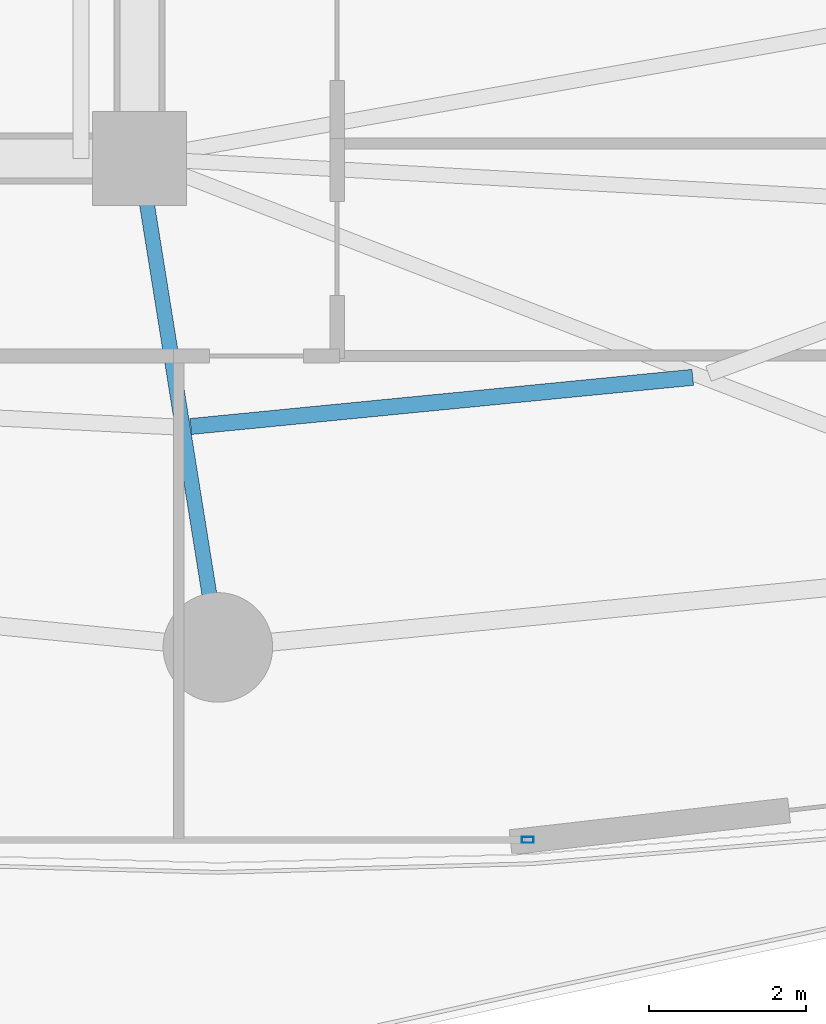
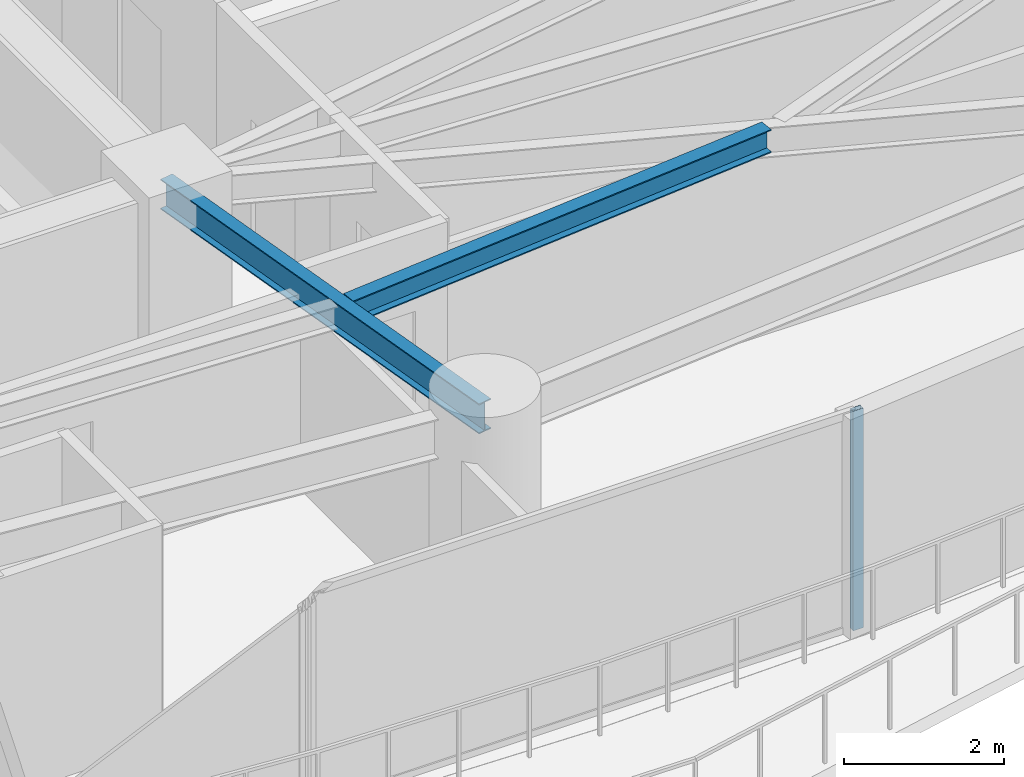
# One storey, part 10 of 32: 2 beams, 1 member, 1 element without a shape of its own.
"""IFC4 building model written with IfcOpenShell, lengths in metres."""

from ifc_helpers import new_model, si_unit, direction, frame, origin, origin_2d, place, context, subcontext, project, spatial, hollow_rectangle, i_section, extrude, material, layer, layer_set, material_profile, profile_set, type_object, element, aggregate, save


model = new_model("IFC4")

# Units and contexts
model_context = context("Model", 3, precision=1e-05, world=origin(), true_north=direction((0.0, 1.0)))
body_context = subcontext(model_context, "Body", "Model", "MODEL_VIEW")
ifc_project = project(units=[si_unit("LENGTHUNIT", "METRE"), si_unit("AREAUNIT", "SQUARE_METRE"), si_unit("VOLUMEUNIT", "CUBIC_METRE"), si_unit("PLANEANGLEUNIT", "RADIAN"), si_unit("MASSUNIT", "GRAM", prefix="KILO")], contexts=[model_context])

# Site, building, storey
site_placement = place(None, origin())
site = spatial("IfcSite", under=ifc_project, at=site_placement, CompositionType="ELEMENT")
building_placement = place(site_placement, origin())
building = spatial("IfcBuilding", under=site, at=building_placement, Name="Kazevale Care Tower and Concert Hall", CompositionType="ELEMENT")
storey_placement = place(building_placement, frame((0.0, 0.0, 38.39990234375)))
storey = spatial("IfcBuildingStorey", under=building, at=storey_placement, Name="L09", CompositionType="ELEMENT", Elevation=38.39990234375)

# Curtain wall, member
ifc_material_1 = material(Name="Aluminium 6063-T6 and Low-E Glass", Category="aluminium")
ifc_layer = layer(ifc_material_1, 0.179931640625)
ifc_layer_set = layer_set([ifc_layer], Name="Aluminium 6063-T6 and Low-E Glass")
curtain_wall_type = type_object("IfcCurtainWallType", Name="Sheltered Concave Balcony Curtain Wall CW-5", PredefinedType="NOTDEFINED", material=ifc_layer_set)
curtain_wall_placement = place(storey_placement, origin())
curtain_wall = element("IfcCurtainWall", 1, at=curtain_wall_placement, inside=storey, type_object=curtain_wall_type, Name="cw:L09:f06", PredefinedType="NOTDEFINED")
ifc_material_2 = material(Name="Aluminium 6063-T6", Category="aluminium")
ifc_material_profile_1 = material_profile(ifc_material_2, hollow_rectangle(XDim=0.074951171875, YDim=0.14990234375, WallThickness=0.00390625, at=origin_2d()), Name="ALU75x150x4")
ifc_profile_set_1 = profile_set([ifc_material_profile_1], Name="Aluminium 6063-T6")
member_type = type_object("IfcMemberType", Name="CW-5 Mullion ALU75x150x4", PredefinedType="MULLION", material=ifc_profile_set_1)
member_placement = place(storey_placement, frame((48.96044921875, 14.889892578125, 0.0), z_axis=(0.0, 0.0, 1.0), x_axis=(0.0, -1.0, 0.0)))
member = element("IfcMember", 2, at=member_placement, type_object=member_type, Name="CW-5 mullion 1", PredefinedType="MULLION", context=body_context, shape_type="SweptSolid", body=[
    extrude(hollow_rectangle(XDim=0.074951171875, YDim=0.14990234375, WallThickness=0.00390625, at=origin_2d()), origin(), (0.0, 0.0, 1.0), 3.360107421875),
])
aggregate(curtain_wall, [member])

# Beams
ifc_material_3 = material(Name="Steel ASTM A572 Gr 50", Category="steel")
ifc_material_profile_2 = material_profile(ifc_material_3, i_section(OverallWidth=0.19091796875, OverallDepth=0.4599609375, WebThickness=0.010009765625, FlangeThickness=0.01611328125, at=origin_2d()), Name="W460x82")
ifc_profile_set_2 = profile_set([ifc_material_profile_2], Name="Steel ASTM A572 Gr 50")
beam_type_1 = type_object("IfcBeamType", Name="Radial Floor Beam W460x82", PredefinedType="BEAM", material=ifc_profile_set_2)
beam_1_placement = place(storey_placement, frame((44.0, 23.60009765625, 3.130126953125), z_axis=(0.157990501107, -0.987440631917, 0.0), x_axis=(0.987440631917, 0.157990501107, 0.0)))
element("IfcBeam", 3, at=beam_1_placement, inside=storey, type_object=beam_type_1, Name="beam:L09:rad:13", PredefinedType="BEAM", context=body_context, shape_type="SweptSolid", body=[
    extrude(i_section(OverallWidth=0.19091796875, OverallDepth=0.4599609375, WebThickness=0.010009765625, FlangeThickness=0.01611328125, at=origin_2d()), origin(), (0.0, 0.0, 1.0), 6.32958984375),
])
ifc_material_profile_3 = material_profile(ifc_material_3, i_section(OverallWidth=0.205078125, OverallDepth=0.35400390625, WebThickness=0.009521484375, FlangeThickness=0.016845703125, at=origin_2d()), Name="W360x79")
ifc_profile_set_3 = profile_set([ifc_material_profile_3], Name="Steel ASTM A572 Gr 50")
beam_type_2 = type_object("IfcBeamType", Name="Secondary Floor Joist W360x79", PredefinedType="JOIST", material=ifc_profile_set_3)
beam_2_placement = place(storey_placement, frame((44.654052734375, 20.173095703125, 3.18310546875), z_axis=(0.995242075791, 0.097433108212, 0.0), x_axis=(-0.097433108212, 0.995242075791, 0.0)))
element("IfcBeam", 4, at=beam_2_placement, inside=storey, type_object=beam_type_2, Name="beam:L09:joist:13", PredefinedType="JOIST", context=body_context, shape_type="SweptSolid", body=[
    extrude(i_section(OverallWidth=0.205078125, OverallDepth=0.35400390625, WebThickness=0.009521484375, FlangeThickness=0.016845703125, at=origin_2d()), origin(), (0.0, 0.0, 1.0), 6.44482421875),
])

save(model, "model.ifc")
